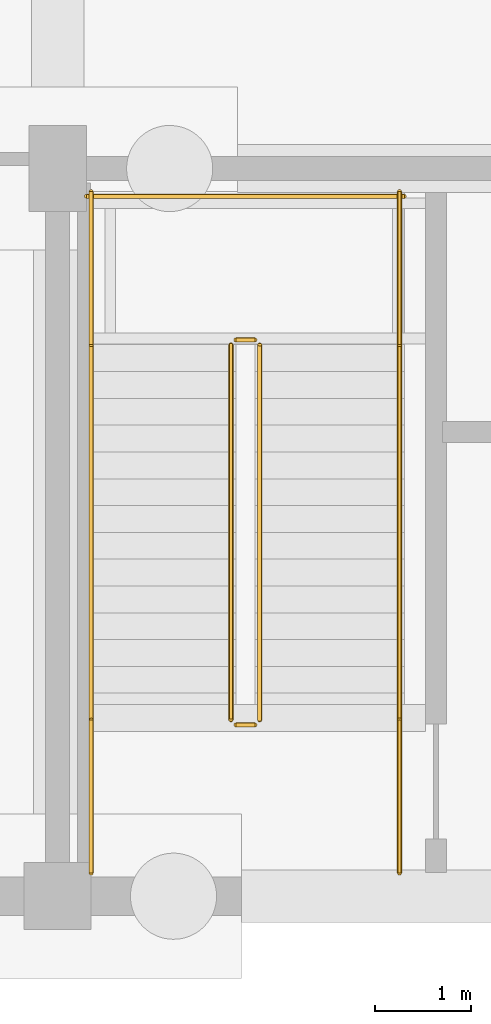
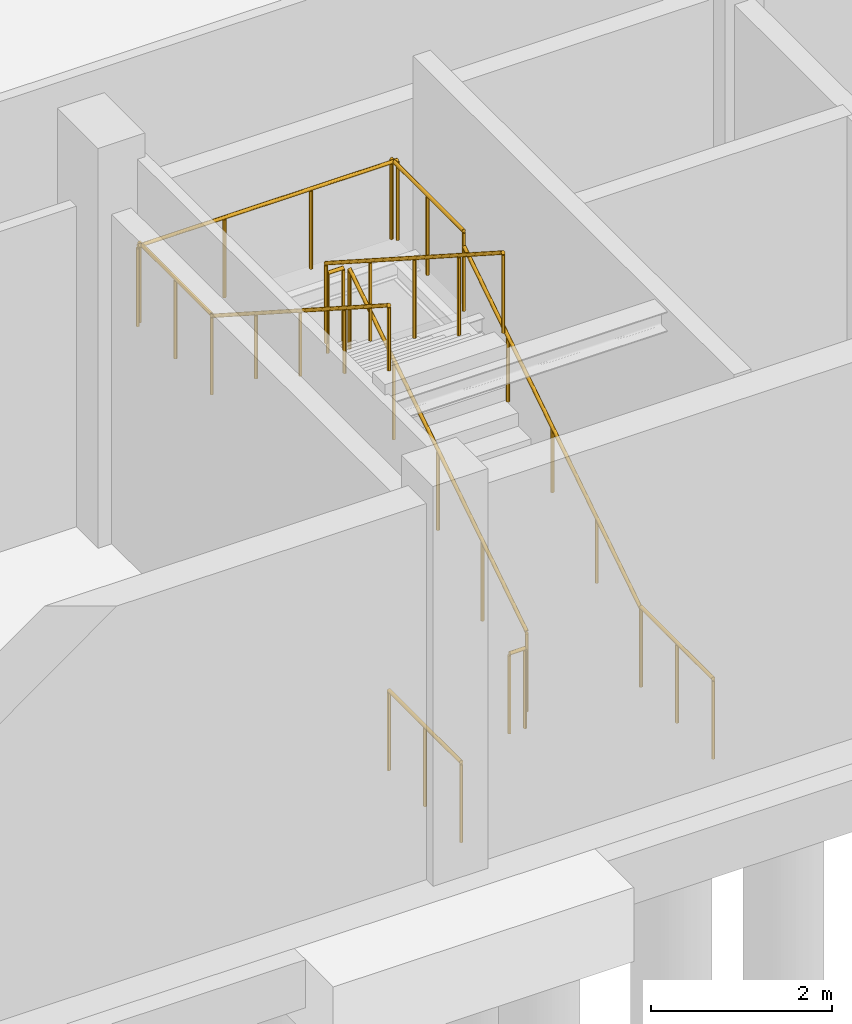
# One storey, part 38 of 44: 11 railings.
"""IFC4 building model written with IfcOpenShell, lengths in metres."""

import ifcopenshell
import ifcopenshell.guid

model = None  # the IFC model being written
_history = None  # IfcOwnerHistory: only IFC2X3 demands one
_inside = {}  # id of a spatial element -> (the spatial element, [elements in it])
_under = {}  # id of a project, library or spatial element -> (it, [spatial elements below it])
_declared = {}  # id of a project -> (the project, [libraries it declares])
_typed = {}  # id of a type object -> (the type object, [elements of that type])
_made_of = {}  # id of a material, layer set ... -> (it, [elements and type objects made of it])


def new_model(schema):
    """Start an empty IFC model of exactly this schema.

    Asked for "IFC4X3", IfcOpenShell would pick the latest addendum, in which some entities
    have other attributes; the version numbers below select the first issue.
    IFC2X3 requires an IfcOwnerHistory on every rooted entity: one is made here for all.
    """
    global model, _history
    if schema == "IFC4X3":
        model = ifcopenshell.file(schema_version=(4, 3, 0, 0))
    else:
        model = ifcopenshell.file(schema=schema)
    _inside.clear()
    _under.clear()
    _declared.clear()
    _typed.clear()
    _made_of.clear()
    _history = None
    if model.schema == "IFC2X3":
        org = make("IfcOrganization", Name="unknown")
        user = make(
            "IfcPersonAndOrganization",
            ThePerson=make("IfcPerson", FamilyName="unknown"),
            TheOrganization=org,
        )
        app = make(
            "IfcApplication",
            ApplicationDeveloper=org,
            Version="unknown",
            ApplicationFullName="unknown",
            ApplicationIdentifier="unknown",
        )
        _history = make(
            "IfcOwnerHistory",
            OwningUser=user,
            OwningApplication=app,
            ChangeAction="ADDED",
            CreationDate=0,
        )
    return model


def make(cls, **values):
    """One entity of the class cls with the attributes given. An attribute that is None is left unset."""
    return model.create_entity(
        cls, **{name: value for name, value in values.items() if value is not None}
    )


def rooted(cls, **values):
    """An entity with a GlobalId (a new one), such as an element, a storey or a relation."""
    return make(cls, GlobalId=ifcopenshell.guid.new(), OwnerHistory=_history, **values)


def si_unit(unit_type, name, prefix=None):
    """IfcSIUnit, for example si_unit("LENGTHUNIT", "METRE", prefix="MILLI")."""
    return make("IfcSIUnit", UnitType=unit_type, Prefix=prefix, Name=name)


def assignment(units):
    """IfcUnitAssignment: the units of a project."""
    return None if units is None else make("IfcUnitAssignment", Units=units)


def point(xyz):
    """IfcCartesianPoint."""
    return None if xyz is None else make("IfcCartesianPoint", Coordinates=xyz)


def direction(xyz):
    """IfcDirection."""
    return None if xyz is None else make("IfcDirection", DirectionRatios=xyz)


def frame(location, z_axis=None, x_axis=None):
    """IfcAxis2Placement3D, a coordinate frame: its origin and axes. An axis left out is left unset."""
    return make(
        "IfcAxis2Placement3D",
        Location=point(location),
        Axis=direction(z_axis),
        RefDirection=direction(x_axis),
    )


def frame_2d(location, x_axis=None):
    """IfcAxis2Placement2D, a coordinate frame in the plane: its origin and x axis."""
    return make(
        "IfcAxis2Placement2D", Location=point(location), RefDirection=direction(x_axis)
    )


def origin():
    """The frame at (0, 0, 0) with its axes left unset."""
    return frame((0.0, 0.0, 0.0))


def origin_2d():
    """The frame at (0, 0) in the plane with its x axis left unset."""
    return frame_2d((0.0, 0.0))


def place(relative_to, where):
    """IfcLocalPlacement: puts the frame where relative to a parent placement (None: the world)."""
    return make(
        "IfcLocalPlacement", PlacementRelTo=relative_to, RelativePlacement=where
    )


def context(
    kind, dimensions, precision=None, world=None, true_north=None, identifier=None
):
    """IfcGeometricRepresentationContext, for example the 3D "Model" context."""
    return make(
        "IfcGeometricRepresentationContext",
        ContextIdentifier=identifier,
        ContextType=kind,
        CoordinateSpaceDimension=dimensions,
        Precision=precision,
        WorldCoordinateSystem=world,
        TrueNorth=true_north,
    )


def subcontext(parent, identifier, kind, view, scale=None):
    """IfcGeometricRepresentationSubContext, for example "Body" below "Model"."""
    return make(
        "IfcGeometricRepresentationSubContext",
        ContextIdentifier=identifier,
        ContextType=kind,
        ParentContext=parent,
        TargetScale=scale,
        TargetView=view,
    )


def project(units=None, contexts=None):
    """IfcProject with its units and contexts."""
    return rooted(
        "IfcProject",
        Name="project",
        RepresentationContexts=contexts,
        UnitsInContext=assignment(units),
    )


def spatial(cls, under=None, at=None, **own):
    """A site, building, storey or space (cls), placed at a placement, below another one or the project."""
    s = rooted(cls, ObjectPlacement=at, **own)
    if under is not None:
        _under.setdefault(under.id(), (under, []))[1].append(s)
    return s


def profile(cls, at=None, kind="AREA", **sizes):
    """A parametric profile (cls). Its sizes go by their IFC names, for example OverallWidth=200.0."""
    return make(cls, ProfileType=kind, Position=at, **sizes)


def circle(**sizes):
    """IfcCircleProfileDef."""
    return profile("IfcCircleProfileDef", **sizes)


def extrude(swept, where, along, depth):
    """IfcExtrudedAreaSolid: the profile swept, set in the frame where, extruded along a direction by depth."""
    return make(
        "IfcExtrudedAreaSolid",
        SweptArea=swept,
        Position=where,
        ExtrudedDirection=direction(along),
        Depth=depth,
    )


def shape(context_of_items, identifier, shape_type, items):
    """IfcShapeRepresentation: the items that make up one representation, for example the "Body"."""
    return make(
        "IfcShapeRepresentation",
        ContextOfItems=context_of_items,
        RepresentationIdentifier=identifier,
        RepresentationType=shape_type,
        Items=items,
    )


def material(Name=None, Category=None):
    """IfcMaterial."""
    return make("IfcMaterial", Name=Name, Category=Category)


def made_of(thing, what):
    """Note that an element or type object is made of a material, layer set ...; save() writes the relation."""
    if what is not None:
        _made_of.setdefault(what.id(), (what, []))[1].append(thing)
    return thing


def type_object(cls, material=None, **own):
    """A type object (cls), such as IfcWallType, which elements share."""
    return made_of(rooted(cls, **own), material)


def element(
    cls,
    number,
    at=None,
    inside=None,
    cuts=None,
    type_object=None,
    material=None,
    context=None,
    identifier="Body",
    shape_type=None,
    held_by="IfcProductDefinitionShape",
    body=None,
    shapes=None,
    **own,
):
    """One element of the class cls, such as IfcWall. Its Tag is "e" and its number.

    at: its placement. inside: the storey or other place that contains it. cuts: it is an
    opening in that element (IfcRelVoidsElement). A single representation is given by context,
    identifier, shape_type and body (its items); several are given by shapes. held_by: the class
    of the entity that holds the representations. save() writes the other relations.
    """
    e = rooted(cls, Tag="e%d" % number, ObjectPlacement=at, **own)
    if body is not None:
        shapes = [shape(context, identifier, shape_type, body)]
    if shapes is not None:
        e.Representation = make(held_by, Representations=shapes)
    if inside is not None:
        _inside.setdefault(inside.id(), (inside, []))[1].append(e)
    if cuts is not None:
        rooted(
            "IfcRelVoidsElement", RelatingBuildingElement=cuts, RelatedOpeningElement=e
        )
    if type_object is not None:
        _typed.setdefault(type_object.id(), (type_object, []))[1].append(e)
    return made_of(e, material)


def aggregate(whole, parts):
    """IfcRelAggregates: a whole, such as a stair, and the parts it consists of."""
    return rooted("IfcRelAggregates", RelatingObject=whole, RelatedObjects=parts)


def save(model, path):
    """Write the relations noted so far, then the file.

    IfcRelAggregates (storeys below a building ...), IfcRelContainedInSpatialStructure (elements
    in a storey), IfcRelDefinesByType, IfcRelAssociatesMaterial and IfcRelDeclares: one each for
    every whole, place, type object, material and project.
    """
    for whole, parts in _under.values():
        aggregate(whole, parts)
    for where, things in _inside.values():
        rooted(
            "IfcRelContainedInSpatialStructure",
            RelatedElements=things,
            RelatingStructure=where,
        )
    for kind, things in _typed.values():
        rooted("IfcRelDefinesByType", RelatedObjects=things, RelatingType=kind)
    for what, things in _made_of.values():
        rooted("IfcRelAssociatesMaterial", RelatedObjects=things, RelatingMaterial=what)
    for by, libraries in _declared.values():
        rooted("IfcRelDeclares", RelatingContext=by, RelatedDefinitions=libraries)
    model.write(path)


model = new_model("IFC4")

# Units and contexts
model_context = context("Model", 3, precision=1e-05, world=origin(), true_north=direction((0.0, 1.0)))
body_context = subcontext(model_context, "Body", "Model", "MODEL_VIEW")
ifc_project = project(units=[si_unit("LENGTHUNIT", "METRE"), si_unit("AREAUNIT", "SQUARE_METRE"), si_unit("VOLUMEUNIT", "CUBIC_METRE"), si_unit("PLANEANGLEUNIT", "RADIAN"), si_unit("MASSUNIT", "GRAM", prefix="KILO")], contexts=[model_context])

# Site, building, storey
site_placement = place(None, origin())
site = spatial("IfcSite", under=ifc_project, at=site_placement, CompositionType="ELEMENT")
building_placement = place(site_placement, origin())
building = spatial("IfcBuilding", under=site, at=building_placement, Name="Khelvaren Railside Concert Hall", CompositionType="ELEMENT")
storey_placement = place(building_placement, frame((0.0, 0.0, -5.39990234375)))
storey = spatial("IfcBuildingStorey", under=building, at=storey_placement, Name="B1", CompositionType="ELEMENT", Elevation=-5.39990234375)

# Railings
ifc_material_1 = material(Name="Painted architectural steel", Category="steel")
railing_type_1 = type_object("IfcRailingType", Name="GRD86", PredefinedType="GUARDRAIL", material=ifc_material_1)
railing_1_placement = place(storey_placement, frame((74.110107421875, 1.840087890625, 0.179931640625)))
element("IfcRailing", 1, at=railing_1_placement, inside=storey, type_object=railing_type_1, Name="B1 ST-05 stair guard 1", PredefinedType="GUARDRAIL", context=body_context, shape_type="SweptSolid", body=[
    extrude(circle(Radius=0.02392578125, at=origin_2d()), frame((0.0, 0.0, 1.076171875), z_axis=(0.0, 0.841171666519, 0.540768182723), x_axis=(-1.0, 0.0, 0.0)), (0.0, 0.0, 1.0), 4.66015625),
    extrude(circle(Radius=0.02099609375, at=origin_2d()), origin(), (0.0, 0.0, 1.0), 1.052001953125),
    extrude(circle(Radius=0.02099609375, at=origin_2d()), frame((0.0, 0.97998046875, 0.6298828125)), (0.0, 0.0, 1.0), 1.052001953125),
    extrude(circle(Radius=0.02099609375, at=origin_2d()), frame((0.0, 1.9599609375, 1.260009765625)), (0.0, 0.0, 1.0), 1.052001953125),
    extrude(circle(Radius=0.02099609375, at=origin_2d()), frame((0.0, 2.93994140625, 1.89013671875)), (0.0, 0.0, 1.0), 1.052001953125),
    extrude(circle(Radius=0.02099609375, at=origin_2d()), frame((0.0, 3.919921875, 2.52001953125)), (0.0, 0.0, 1.0), 1.052001953125),
])
railing_2_placement = place(storey_placement, frame((74.06005859375, 5.81005859375, 2.699951171875)))
element("IfcRailing", 2, at=railing_2_placement, inside=storey, type_object=railing_type_1, Name="B1 ST-05 stair guard 2", PredefinedType="GUARDRAIL", context=body_context, shape_type="SweptSolid", body=[
    extrude(circle(Radius=0.02392578125, at=origin_2d()), frame((0.0, 0.0, 1.076171875), z_axis=(-1.0, 0.0, 0.0), x_axis=(0.0, -1.0, 0.0)), (0.0, 0.0, 1.0), 0.199951171875),
    extrude(circle(Radius=0.02099609375, at=origin_2d()), origin(), (0.0, 0.0, 1.0), 1.052001953125),
    extrude(circle(Radius=0.02099609375, at=origin_2d()), frame((-0.199951171875, 0.0, 0.0)), (0.0, 0.0, 1.0), 1.052001953125),
])
for number, where, name in (
    (3, (75.570068359375, 5.760009765625, 2.699951171875), "B1 ST-05 stair guard 3"),
    (4, (72.35009765625, 5.760009765625, 2.699951171875), "B1 ST-05 stair guard 4"),
):
    element("IfcRailing", number, at=place(storey_placement, frame(where)), inside=storey, type_object=railing_type_1, Name=name, PredefinedType="GUARDRAIL", context=body_context, shape_type="SweptSolid", body=[
        extrude(circle(Radius=0.02392578125, at=origin_2d()), frame((0.0, 0.0, 1.076171875), z_axis=(0.0, 1.0, 0.0), x_axis=(-1.0, 0.0, 0.0)), (0.0, 0.0, 1.0), 1.60009765625),
        extrude(circle(Radius=0.02099609375, at=origin_2d()), origin(), (0.0, 0.0, 1.0), 1.052001953125),
        extrude(circle(Radius=0.02099609375, at=origin_2d()), frame((0.0, 0.800048828125, 0.0)), (0.0, 0.0, 1.0), 1.052001953125),
        extrude(circle(Radius=0.02099609375, at=origin_2d()), frame((0.0, 1.60009765625, 0.0)), (0.0, 0.0, 1.0), 1.052001953125),
    ])
railing_3_placement = place(storey_placement, frame((75.6201171875, 7.31005859375, 2.699951171875)))
element("IfcRailing", 5, at=railing_3_placement, inside=storey, type_object=railing_type_1, Name="B1 ST-05 stair guard 5", PredefinedType="GUARDRAIL", context=body_context, shape_type="SweptSolid", body=[
    extrude(circle(Radius=0.02392578125, at=origin_2d()), frame((0.0, 0.0, 1.076171875), z_axis=(-1.0, 0.0, 0.0), x_axis=(0.0, -1.0, 0.0)), (0.0, 0.0, 1.0), 3.320068359375),
    extrude(circle(Radius=0.02099609375, at=origin_2d()), origin(), (0.0, 0.0, 1.0), 1.052001953125),
    extrude(circle(Radius=0.02099609375, at=origin_2d()), frame((-1.106689453125, 0.0, 0.0)), (0.0, 0.0, 1.0), 1.052001953125),
    extrude(circle(Radius=0.02099609375, at=origin_2d()), frame((-2.21337890625, 0.0, 0.0)), (0.0, 0.0, 1.0), 1.052001953125),
    extrude(circle(Radius=0.02099609375, at=origin_2d()), frame((-3.320068359375, 0.0, 0.0)), (0.0, 0.0, 1.0), 1.052001953125),
])
railing_4_placement = place(storey_placement, frame((73.81005859375, 5.760009765625, 2.8798828125)))
element("IfcRailing", 6, at=railing_4_placement, inside=storey, type_object=railing_type_1, Name="B1 ST-05 stair guard 6", PredefinedType="GUARDRAIL", context=body_context, shape_type="SweptSolid", body=[
    extrude(circle(Radius=0.02392578125, at=origin_2d()), frame((0.0, 0.0, 1.076171875), z_axis=(0.0, -0.841171666519, 0.540768182723), x_axis=(1.0, 0.0, 0.0)), (0.0, 0.0, 1.0), 4.66015625),
    extrude(circle(Radius=0.02099609375, at=origin_2d()), origin(), (0.0, 0.0, 1.0), 1.052001953125),
    extrude(circle(Radius=0.02099609375, at=origin_2d()), frame((0.0, -0.97998046875, 0.6298828125)), (0.0, 0.0, 1.0), 1.052001953125),
    extrude(circle(Radius=0.02099609375, at=origin_2d()), frame((0.0, -1.9599609375, 1.260009765625)), (0.0, 0.0, 1.0), 1.052001953125),
    extrude(circle(Radius=0.02099609375, at=origin_2d()), frame((0.0, -2.93994140625, 1.89013671875)), (0.0, 0.0, 1.0), 1.052001953125),
    extrude(circle(Radius=0.02099609375, at=origin_2d()), frame((0.0, -3.919921875, 2.52001953125)), (0.0, 0.0, 1.0), 1.052001953125),
])
railing_5_placement = place(storey_placement, frame((74.06005859375, 1.7900390625, 0.0)))
element("IfcRailing", 7, at=railing_5_placement, inside=storey, type_object=railing_type_1, Name="B1 ST-05 stair guard 7", PredefinedType="GUARDRAIL", context=body_context, shape_type="SweptSolid", body=[
    extrude(circle(Radius=0.02392578125, at=origin_2d()), frame((0.0, 0.0, 1.076171875), z_axis=(-1.0, 0.0, 0.0), x_axis=(0.0, -1.0, 0.0)), (0.0, 0.0, 1.0), 0.199951171875),
    extrude(circle(Radius=0.02099609375, at=origin_2d()), origin(), (0.0, 0.0, 1.0), 1.052001953125),
    extrude(circle(Radius=0.02099609375, at=origin_2d()), frame((-0.199951171875, 0.0, 0.0)), (0.0, 0.0, 1.0), 1.052001953125),
])
for number, where, name in (
    (8, (75.570068359375, 0.239990234375, 0.0), "B1 ST-05 stair guard 8"),
    (9, (72.35009765625, 0.239990234375, 0.0), "B1 ST-05 stair guard 9"),
):
    element("IfcRailing", number, at=place(storey_placement, frame(where)), inside=storey, type_object=railing_type_1, Name=name, PredefinedType="GUARDRAIL", context=body_context, shape_type="SweptSolid", body=[
        extrude(circle(Radius=0.02392578125, at=origin_2d()), frame((0.0, 0.0, 1.076171875), z_axis=(0.0, 1.0, 0.0), x_axis=(-1.0, 0.0, 0.0)), (0.0, 0.0, 1.0), 1.60009765625),
        extrude(circle(Radius=0.02099609375, at=origin_2d()), origin(), (0.0, 0.0, 1.0), 1.052001953125),
        extrude(circle(Radius=0.02099609375, at=origin_2d()), frame((0.0, 0.800048828125, 0.0)), (0.0, 0.0, 1.0), 1.052001953125),
        extrude(circle(Radius=0.02099609375, at=origin_2d()), frame((0.0, 1.60009765625, 0.0)), (0.0, 0.0, 1.0), 1.052001953125),
    ])
ifc_material_2 = material(Name="Brushed stainless steel Grade 316", Category="steel")
railing_type_2 = type_object("IfcRailingType", Name="HRL59", PredefinedType="HANDRAIL", material=ifc_material_2)
railing_6_placement = place(storey_placement, frame((75.570068359375, 1.840087890625, 0.179931640625)))
element("IfcRailing", 10, at=railing_6_placement, inside=storey, type_object=railing_type_2, Name="B1 ST-05 stair handrail 1", PredefinedType="HANDRAIL", context=body_context, shape_type="SweptSolid", body=[
    extrude(circle(Radius=0.02392578125, at=origin_2d()), frame((0.0, 0.0, 0.8759765625), z_axis=(0.0, 0.841171666519, 0.540768182723), x_axis=(-1.0, 0.0, 0.0)), (0.0, 0.0, 1.0), 4.66015625),
    extrude(circle(Radius=0.02099609375, at=origin_2d()), origin(), (0.0, 0.0, 1.0), 0.851806640625),
    extrude(circle(Radius=0.02099609375, at=origin_2d()), frame((0.0, 0.97998046875, 0.6298828125)), (0.0, 0.0, 1.0), 0.851806640625),
    extrude(circle(Radius=0.02099609375, at=origin_2d()), frame((0.0, 1.9599609375, 1.260009765625)), (0.0, 0.0, 1.0), 0.851806640625),
    extrude(circle(Radius=0.02099609375, at=origin_2d()), frame((0.0, 2.93994140625, 1.89013671875)), (0.0, 0.0, 1.0), 0.851806640625),
    extrude(circle(Radius=0.02099609375, at=origin_2d()), frame((0.0, 3.919921875, 2.52001953125)), (0.0, 0.0, 1.0), 0.851806640625),
])
railing_7_placement = place(storey_placement, frame((72.35009765625, 5.760009765625, 2.8798828125)))
element("IfcRailing", 11, at=railing_7_placement, inside=storey, type_object=railing_type_2, Name="B1 ST-05 stair handrail 2", PredefinedType="HANDRAIL", context=body_context, shape_type="SweptSolid", body=[
    extrude(circle(Radius=0.02392578125, at=origin_2d()), frame((0.0, 0.0, 0.8759765625), z_axis=(0.0, -0.841171666519, 0.540768182723), x_axis=(1.0, 0.0, 0.0)), (0.0, 0.0, 1.0), 4.66015625),
    extrude(circle(Radius=0.02099609375, at=origin_2d()), origin(), (0.0, 0.0, 1.0), 0.851806640625),
    extrude(circle(Radius=0.02099609375, at=origin_2d()), frame((0.0, -0.97998046875, 0.6298828125)), (0.0, 0.0, 1.0), 0.851806640625),
    extrude(circle(Radius=0.02099609375, at=origin_2d()), frame((0.0, -1.9599609375, 1.260009765625)), (0.0, 0.0, 1.0), 0.851806640625),
    extrude(circle(Radius=0.02099609375, at=origin_2d()), frame((0.0, -2.93994140625, 1.89013671875)), (0.0, 0.0, 1.0), 0.851806640625),
    extrude(circle(Radius=0.02099609375, at=origin_2d()), frame((0.0, -3.919921875, 2.52001953125)), (0.0, 0.0, 1.0), 0.851806640625),
])

save(model, "model.ifc")
